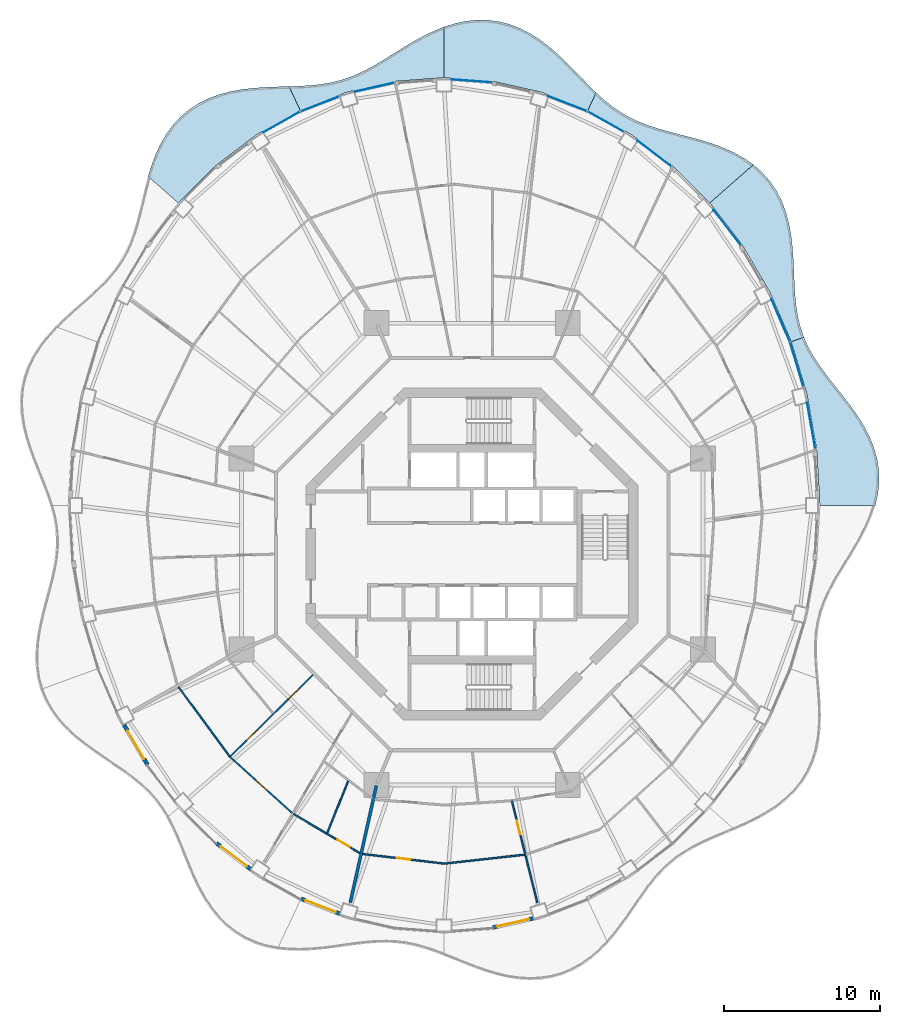
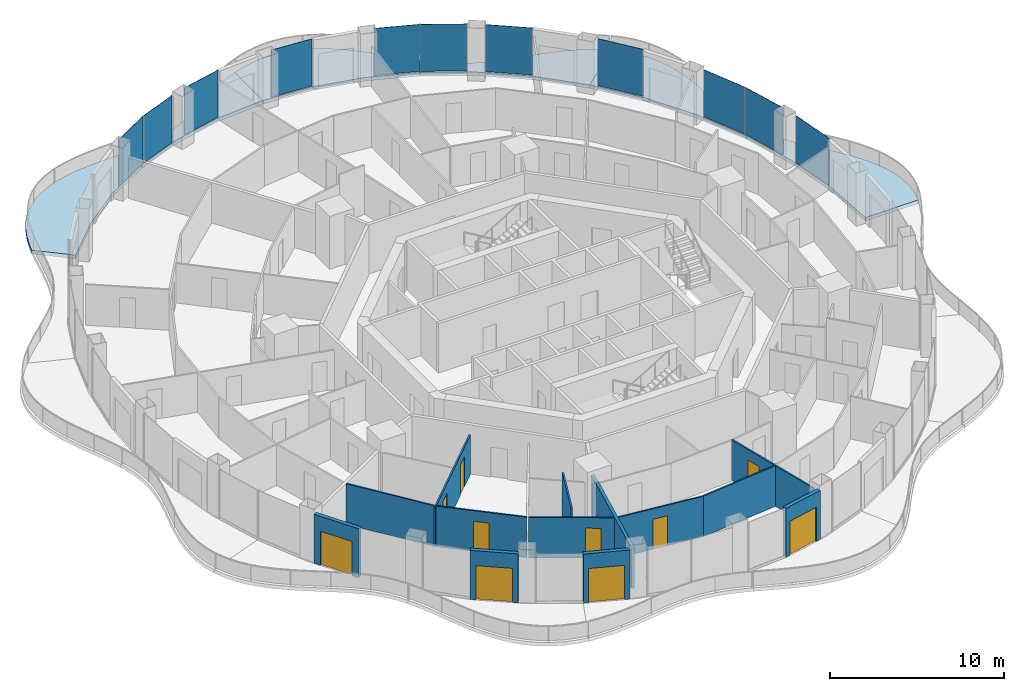
# One storey, part 9 of 18: 13 walls, 11 plates, 10 doors, 6 slabs, 10 openings, 11 elements without a shape of their own.
"""IFC4 building model written with IfcOpenShell, lengths in metres."""

from ifc_helpers import new_model, si_unit, direction, frame, frame_2d, origin, origin_2d, place, context, subcontext, project, spatial, polyline, rectangle, outline, extrude, material, layer, layer_set, type_object, element, fill, aggregate, save


model = new_model("IFC4")

# Units and contexts
model_context = context("Model", 3, precision=1e-05, world=origin(), true_north=direction((0.0, 1.0)))
body_context = subcontext(model_context, "Body", "Model", "MODEL_VIEW")
ifc_project = project(units=[si_unit("LENGTHUNIT", "METRE"), si_unit("AREAUNIT", "SQUARE_METRE"), si_unit("VOLUMEUNIT", "CUBIC_METRE"), si_unit("PLANEANGLEUNIT", "RADIAN"), si_unit("MASSUNIT", "GRAM", prefix="KILO")], contexts=[model_context])

# Site, building, storey
site_placement = place(None, origin())
site = spatial("IfcSite", under=ifc_project, at=site_placement, CompositionType="ELEMENT")
building_placement = place(site_placement, origin())
building = spatial("IfcBuilding", under=site, at=building_placement, Name="Nagisa Residences", CompositionType="ELEMENT")
storey_placement = place(building_placement, frame((0.0, 0.0, 238.10009765625)))
storey = spatial("IfcBuildingStorey", under=building, at=storey_placement, Name="L60", CompositionType="ELEMENT", Elevation=238.10009765625)

# Slabs
ifc_material_1 = material(Name="Concrete C40/50", Category="concrete")
ifc_layer_1 = layer(ifc_material_1, 0.25)
ifc_layer_set_1 = layer_set([ifc_layer_1], Name="BALCONY SLAB 250")
slab_type = type_object("IfcSlabType", Name="BALCONY SLAB 250", PredefinedType="FLOOR", material=ifc_layer_set_1)
slab_1_placement = place(storey_placement, frame((0.0, 0.0, -0.25)))
element("IfcSlab", 1, at=slab_1_placement, inside=storey, type_object=slab_type, Name="slab:L60:bal00", PredefinedType="FLOOR", context=body_context, shape_type="SweptSolid", body=[
    extrude(outline(polyline([(25.81787109375, 3.11767578125), (25.986328125, 3.865966796875), (26.06396484375, 4.6181640625), (26.045166015625, 5.369140625), (25.929443359375, 6.113037109375), (25.719970703125, 6.8447265625), (25.42529296875, 7.559814453125), (25.05712890625, 8.25537109375), (24.630615234375, 8.929443359375), (24.163818359375, 9.582275390625), (23.675048828125, 10.215576171875), (23.18359375, 10.833251953125), (22.707763671875, 11.43994140625), (22.263916015625, 12.042236328125), (21.864990234375, 12.646728515625), (21.521240234375, 13.2607421875), (21.23828125, 13.890869140625), (20.437744140625, 13.599365234375), (21.449951171875, 10.206787109375), (22.06396484375, 6.69287109375), (22.27001953125, 3.11767578125), (25.81787109375, 3.11767578125)])), origin(), (0.0, 0.0, 1.0), 0.25),
])
slab_2_placement = place(storey_placement, frame((0.0, 0.0, -0.25)))
element("IfcSlab", 2, at=slab_2_placement, inside=storey, type_object=slab_type, Name="slab:L60:bal01", PredefinedType="FLOOR", context=body_context, shape_type="SweptSolid", body=[
    extrude(outline(polyline([(21.23828125, 13.890869140625), (21.023193359375, 14.522216796875), (20.86376953125, 15.17822265625), (20.75341796875, 15.86083984375), (20.68212890625, 16.57080078125), (20.6376953125, 17.305908203125), (20.605712890625, 18.0625), (20.570068359375, 18.83447265625), (20.51513671875, 19.614013671875), (20.425537109375, 20.3916015625), (20.28759765625, 21.15673828125), (20.089599609375, 21.899169921875), (19.822998046875, 22.60791015625), (19.48193359375, 23.273193359375), (19.064453125, 23.886962890625), (18.572021484375, 24.442626953125), (18.009765625, 24.936767578125), (15.219970703125, 22.4853515625), (17.2958984375, 19.791748046875), (19.045166015625, 16.812744140625), (20.437744140625, 13.599365234375), (21.23828125, 13.890869140625)])), origin(), (0.0, 0.0, 1.0), 0.25),
])
slab_3_placement = place(storey_placement, frame((0.0, 0.0, -0.25)))
element("IfcSlab", 3, at=slab_3_placement, inside=storey, type_object=slab_type, Name="slab:L60:bal02", PredefinedType="FLOOR", context=body_context, shape_type="SweptSolid", body=[
    extrude(outline(polyline([(18.009765625, 24.936767578125), (17.415771484375, 25.349609375), (16.7744140625, 25.70703125), (16.09619140625, 26.01318359375), (15.39208984375, 26.274658203125), (14.674072265625, 26.499755859375), (13.95361328125, 26.698974609375), (13.24072265625, 26.88330078125), (12.54443359375, 27.06494140625), (11.871826171875, 27.255615234375), (11.227783203125, 27.46630859375), (10.61474609375, 27.707275390625), (10.03271484375, 27.98583984375), (9.4794921875, 28.30810546875), (8.950439453125, 28.67626953125), (8.43994140625, 29.090087890625), (7.940673828125, 29.546142578125), (7.4111328125, 28.4228515625), (10.235107421875, 26.838134765625), (12.852783203125, 24.84765625), (15.219970703125, 22.4853515625), (18.009765625, 24.936767578125)])), origin(), (0.0, 0.0, 1.0), 0.25),
])
slab_4_placement = place(storey_placement, frame((0.0, 0.0, -0.25)))
element("IfcSlab", 4, at=slab_4_placement, inside=storey, type_object=slab_type, Name="slab:L60:bal03", PredefinedType="FLOOR", context=body_context, shape_type="SweptSolid", body=[
    extrude(outline(polyline([(7.940673828125, 29.546142578125), (7.462646484375, 30.019287109375), (6.980712890625, 30.51708984375), (6.487548828125, 31.02880859375), (5.9775390625, 31.54248046875), (5.4453125, 32.044921875), (4.887451171875, 32.522216796875), (4.3017578125, 32.961181640625), (3.6884765625, 33.3486328125), (3.048828125, 33.673828125), (2.385498046875, 33.927001953125), (1.702880859375, 34.101318359375), (1.00634765625, 34.193115234375), (0.3017578125, 34.201416015625), (-0.40478515625, 34.128173828125), (-1.107177734375, 33.978515625), (-1.800048828125, 33.760498046875), (-1.800048828125, 30.5078125), (1.341796875, 30.2734375), (4.4296875, 29.574462890625), (7.4111328125, 28.4228515625), (7.940673828125, 29.546142578125)])), origin(), (0.0, 0.0, 1.0), 0.25),
])
slab_5_placement = place(storey_placement, frame((0.0, 0.0, -0.25)))
element("IfcSlab", 5, at=slab_5_placement, inside=storey, type_object=slab_type, Name="slab:L60:bal04", PredefinedType="FLOOR", context=body_context, shape_type="SweptSolid", body=[
    extrude(outline(polyline([(-1.800048828125, 33.760498046875), (-2.47900390625, 33.484130859375), (-3.140869140625, 33.161865234375), (-3.783935546875, 32.806884765625), (-4.40771484375, 32.43359375), (-5.013916015625, 32.055908203125), (-5.60498046875, 31.68701171875), (-6.18505859375, 31.33935546875), (-6.759033203125, 31.022705078125), (-7.33251953125, 30.74462890625), (-7.911376953125, 30.510498046875), (-8.50048828125, 30.322265625), (-9.105224609375, 30.178955078125), (-9.728759765625, 30.076904296875), (-10.3740234375, 30.01025390625), (-11.041015625, 29.9697265625), (-11.72900390625, 29.945556640625), (-11.01123046875, 28.4228515625), (-8.02978515625, 29.574462890625), (-4.941650390625, 30.2734375), (-1.800048828125, 30.5078125), (-1.800048828125, 33.760498046875)])), origin(), (0.0, 0.0, 1.0), 0.25),
])
slab_6_placement = place(storey_placement, frame((0.0, 0.0, -0.25)))
element("IfcSlab", 6, at=slab_6_placement, inside=storey, type_object=slab_type, Name="slab:L60:bal05", PredefinedType="FLOOR", context=body_context, shape_type="SweptSolid", body=[
    extrude(outline(polyline([(-11.72900390625, 29.945556640625), (-12.461669921875, 29.925048828125), (-13.208740234375, 29.89599609375), (-13.962646484375, 29.844482421875), (-14.715087890625, 29.7578125), (-15.45654296875, 29.624267578125), (-16.1767578125, 29.434326171875), (-16.866455078125, 29.180908203125), (-17.515625, 28.859375), (-18.116943359375, 28.468017578125), (-18.663818359375, 28.008544921875), (-19.15234375, 27.484375), (-19.58056640625, 26.90234375), (-19.9501953125, 26.27099609375), (-20.26416015625, 25.60009765625), (-20.529296875, 24.90087890625), (-20.75390625, 24.184814453125), (-18.820068359375, 22.4853515625), (-16.452880859375, 24.84765625), (-13.8349609375, 26.838134765625), (-11.01123046875, 28.4228515625), (-11.72900390625, 29.945556640625)])), origin(), (0.0, 0.0, 1.0), 0.25),
])

# Curtain wall, plate
ifc_material_2 = material(Name="Concrete-coloured aluminium curtain wall system", Category="concrete")
ifc_layer_2 = layer(ifc_material_2, 0.159912109375)
ifc_layer_set_2 = layer_set([ifc_layer_2], Name="CW1 CURTAIN WALL")
curtain_wall_type = type_object("IfcCurtainWallType", Name="CW1 CURTAIN WALL", PredefinedType="NOTDEFINED", material=ifc_layer_set_2)
curtain_wall_1_placement = place(storey_placement, origin())
curtain_wall_1 = element("IfcCurtainWall", 7, at=curtain_wall_1_placement, inside=storey, type_object=curtain_wall_type, Name="cw:CW1:L60:01", PredefinedType="NOTDEFINED")
ifc_material_3 = material(Name="Clear laminated glass", Category="glass")
ifc_layer_3 = layer(ifc_material_3, 0.028076171875)
ifc_layer_set_3 = layer_set([ifc_layer_3], Name="CW1 GLASS PANEL")
plate_type = type_object("IfcPlateType", Name="CW1 GLASS PANEL", PredefinedType="CURTAIN_PANEL", material=ifc_layer_set_3)
plate_1_placement = place(storey_placement, frame((21.716064453125, 8.21923828125, 0.14990234375), z_axis=(0.0, 0.0, 1.0), x_axis=(-0.172190868898, 0.985063604377, 0.0)))
plate_1 = element("IfcPlate", 8, at=plate_1_placement, type_object=plate_type, Name="CW1 panel", PredefinedType="CURTAIN_PANEL", context=body_context, shape_type="SweptSolid", body=[
    extrude(rectangle(XDim=3.00732421875, YDim=0.028076171875, at=origin_2d()), origin(), (0.0, 0.0, 1.0), 3.2900390625),
])
aggregate(curtain_wall_1, [plate_1])

curtain_wall_2_placement = place(storey_placement, origin())
curtain_wall_2 = element("IfcCurtainWall", 9, at=curtain_wall_2_placement, inside=storey, type_object=curtain_wall_type, Name="cw:CW1:L60:02", PredefinedType="NOTDEFINED")
plate_2_placement = place(storey_placement, frame((20.787109375, 12.1484375, 0.14990234375), z_axis=(0.0, 0.0, 1.0), x_axis=(-0.285860274038, 0.958271310082, 0.0)))
plate_2 = element("IfcPlate", 10, at=plate_2_placement, type_object=plate_type, Name="CW1 panel", PredefinedType="CURTAIN_PANEL", context=body_context, shape_type="SweptSolid", body=[
    extrude(rectangle(XDim=2.98046875, YDim=0.028076171875, at=origin_2d()), origin(), (0.0, 0.0, 1.0), 3.2900390625),
])
aggregate(curtain_wall_2, [plate_2])

curtain_wall_3_placement = place(storey_placement, origin())
curtain_wall_3 = element("IfcCurtainWall", 11, at=curtain_wall_3_placement, inside=storey, type_object=curtain_wall_type, Name="cw:CW1:L60:03", PredefinedType="NOTDEFINED")
plate_3_placement = place(storey_placement, frame((19.755615234375, 14.972412109375, 0.14990234375), z_axis=(0.0, 0.0, 1.0), x_axis=(-0.397635934147, 0.917543276295, 0.0)))
plate_3 = element("IfcPlate", 12, at=plate_3_placement, type_object=plate_type, Name="CW1 panel", PredefinedType="CURTAIN_PANEL", context=body_context, shape_type="SweptSolid", body=[
    extrude(rectangle(XDim=2.942138671875, YDim=0.028076171875, at=origin_2d()), origin(), (0.0, 0.0, 1.0), 3.2900390625),
])
aggregate(curtain_wall_3, [plate_3])

curtain_wall_4_placement = place(storey_placement, origin())
curtain_wall_4 = element("IfcCurtainWall", 13, at=curtain_wall_4_placement, inside=storey, type_object=curtain_wall_type, Name="cw:CW1:L60:05", PredefinedType="NOTDEFINED")
plate_4_placement = place(storey_placement, frame((16.328857421875, 20.91552734375, 0.14990234375), z_axis=(0.0, 0.0, 1.0), x_axis=(-0.610429828235, 0.792070340816, 0.0)))
plate_4 = element("IfcPlate", 14, at=plate_4_placement, type_object=plate_type, Name="CW1 panel", PredefinedType="CURTAIN_PANEL", context=body_context, shape_type="SweptSolid", body=[
    extrude(rectangle(XDim=2.8408203125, YDim=0.028076171875, at=origin_2d()), origin(), (0.0, 0.0, 1.0), 3.2900390625),
])
aggregate(curtain_wall_4, [plate_4])

curtain_wall_5_placement = place(storey_placement, origin())
curtain_wall_5 = element("IfcCurtainWall", 15, at=curtain_wall_5_placement, inside=storey, type_object=curtain_wall_type, Name="cw:CW1:L60:07", PredefinedType="NOTDEFINED")
plate_5_placement = place(storey_placement, frame((11.670654296875, 25.64599609375, 0.14990234375), z_axis=(0.0, 0.0, 1.0), x_axis=(-0.79603132756, 0.605255421737, 0.0)))
plate_5 = element("IfcPlate", 16, at=plate_5_placement, type_object=plate_type, Name="CW1 panel", PredefinedType="CURTAIN_PANEL", context=body_context, shape_type="SweptSolid", body=[
    extrude(rectangle(XDim=2.728759765625, YDim=0.028076171875, at=origin_2d()), origin(), (0.0, 0.0, 1.0), 3.2900390625),
])
aggregate(curtain_wall_5, [plate_5])

curtain_wall_6_placement = place(storey_placement, origin())
curtain_wall_6 = element("IfcCurtainWall", 17, at=curtain_wall_6_placement, inside=storey, type_object=curtain_wall_type, Name="cw:CW1:L60:08", PredefinedType="NOTDEFINED")
plate_6_placement = place(storey_placement, frame((8.539794921875, 27.69775390625, 0.14990234375), z_axis=(0.0, 0.0, 1.0), x_axis=(-0.872072377523, 0.489376918501, 0.0)))
plate_6 = element("IfcPlate", 18, at=plate_6_placement, type_object=plate_type, Name="CW1 panel", PredefinedType="CURTAIN_PANEL", context=body_context, shape_type="SweptSolid", body=[
    extrude(rectangle(XDim=2.677978515625, YDim=0.028076171875, at=origin_2d()), origin(), (0.0, 0.0, 1.0), 3.2900390625),
])
aggregate(curtain_wall_6, [plate_6])

curtain_wall_7_placement = place(storey_placement, origin())
curtain_wall_7 = element("IfcCurtainWall", 19, at=curtain_wall_7_placement, inside=storey, type_object=curtain_wall_type, Name="cw:CW1:L60:09", PredefinedType="NOTDEFINED")
plate_7_placement = place(storey_placement, frame((6.096923828125, 28.8447265625, 0.14990234375), z_axis=(0.0, 0.0, 1.0), x_axis=(-0.932825759707, 0.360327770268, 0.0)))
plate_7 = element("IfcPlate", 20, at=plate_7_placement, type_object=plate_type, Name="CW1 panel", PredefinedType="CURTAIN_PANEL", context=body_context, shape_type="SweptSolid", body=[
    extrude(rectangle(XDim=2.63623046875, YDim=0.028076171875, at=origin_2d()), origin(), (0.0, 0.0, 1.0), 3.2900390625),
])
aggregate(curtain_wall_7, [plate_7])

curtain_wall_8_placement = place(storey_placement, origin())
curtain_wall_8 = element("IfcCurtainWall", 21, at=curtain_wall_8_placement, inside=storey, type_object=curtain_wall_type, Name="cw:CW1:L60:11", PredefinedType="NOTDEFINED")
plate_8_placement = place(storey_placement, frame((-0.015625, 30.29443359375, 0.14990234375), z_axis=(0.0, 0.0, 1.0), x_axis=(-0.997230168512, 0.074377355493, 0.0)))
plate_8 = element("IfcPlate", 22, at=plate_8_placement, type_object=plate_type, Name="CW1 panel", PredefinedType="CURTAIN_PANEL", context=body_context, shape_type="SweptSolid", body=[
    extrude(rectangle(XDim=2.590576171875, YDim=0.028076171875, at=origin_2d()), origin(), (0.0, 0.0, 1.0), 3.2900390625),
])
aggregate(curtain_wall_8, [plate_8])

curtain_wall_9_placement = place(storey_placement, origin())
curtain_wall_9 = element("IfcCurtainWall", 23, at=curtain_wall_9_placement, inside=storey, type_object=curtain_wall_type, Name="cw:CW1:L60:13", PredefinedType="NOTDEFINED")
plate_9_placement = place(storey_placement, frame((-6.25341796875, 29.89453125, 0.14990234375), z_axis=(0.0, 0.0, 1.0), x_axis=(-0.975327274089, -0.2207639201, 0.0)))
plate_9 = element("IfcPlate", 24, at=plate_9_placement, type_object=plate_type, Name="CW1 panel", PredefinedType="CURTAIN_PANEL", context=body_context, shape_type="SweptSolid", body=[
    extrude(rectangle(XDim=2.606201171875, YDim=0.028076171875, at=origin_2d()), origin(), (0.0, 0.0, 1.0), 3.2900390625),
])
aggregate(curtain_wall_9, [plate_9])

curtain_wall_10_placement = place(storey_placement, origin())
curtain_wall_10 = element("IfcCurtainWall", 25, at=curtain_wall_10_placement, inside=storey, type_object=curtain_wall_type, Name="cw:CW1:L60:14", PredefinedType="NOTDEFINED")
plate_10_placement = place(storey_placement, frame((-9.7529296875, 28.822998046875, 0.14990234375), z_axis=(0.0, 0.0, 1.0), x_axis=(-0.932825759707, -0.360327770268, 0.0)))
plate_10 = element("IfcPlate", 26, at=plate_10_placement, type_object=plate_type, Name="CW1 panel", PredefinedType="CURTAIN_PANEL", context=body_context, shape_type="SweptSolid", body=[
    extrude(rectangle(XDim=2.63623046875, YDim=0.028076171875, at=origin_2d()), origin(), (0.0, 0.0, 1.0), 3.2900390625),
])
aggregate(curtain_wall_10, [plate_10])

curtain_wall_11_placement = place(storey_placement, origin())
curtain_wall_11 = element("IfcCurtainWall", 27, at=curtain_wall_11_placement, inside=storey, type_object=curtain_wall_type, Name="cw:CW1:L60:15", PredefinedType="NOTDEFINED")
plate_11_placement = place(storey_placement, frame((-12.192138671875, 27.66845703125, 0.14990234375), z_axis=(0.0, 0.0, 1.0), x_axis=(-0.872072377523, -0.489376918501, 0.0)))
plate_11 = element("IfcPlate", 28, at=plate_11_placement, type_object=plate_type, Name="CW1 panel", PredefinedType="CURTAIN_PANEL", context=body_context, shape_type="SweptSolid", body=[
    extrude(rectangle(XDim=2.677978515625, YDim=0.028076171875, at=origin_2d()), origin(), (0.0, 0.0, 1.0), 3.2900390625),
])
aggregate(curtain_wall_11, [plate_11])

# Walls
ifc_material_4 = material(Name="Gypsum board on steel studs", Category="steel")
ifc_layer_4 = layer(ifc_material_4, 0.199951171875)
ifc_layer_set_4 = layer_set([ifc_layer_4], Name="Apartment compartment wall EI60 200")
wall_type_1 = type_object("IfcWallType", Name="Apartment compartment wall EI60 200", PredefinedType="PARTITIONING", material=ifc_layer_set_4)
wall_1_placement = place(storey_placement, frame((-6.1337890625, -14.830810546875, 0.0), z_axis=(0.0, 0.0, 1.0), x_axis=(-0.217500172543, -0.976060282433, 0.0)))
element("IfcWall", 29, at=wall_1_placement, inside=storey, type_object=wall_type_1, Name="wall:L60:u05", PredefinedType="PARTITIONING", context=body_context, shape_type="SweptSolid", body=[
    extrude(rectangle(XDim=7.667724609375, YDim=0.199951171875, at=frame_2d((3.833984375, 0.0))), origin(), (0.0, 0.0, 1.0), 2.8369140625),
])
ifc_material_5 = material(Name="Gypsum board on steel studs", Category="steel")
ifc_layer_5 = layer(ifc_material_5, 0.10009765625)
ifc_layer_set_5 = layer_set([ifc_layer_5], Name="Apartment partition 100")
wall_type_2 = type_object("IfcWallType", Name="Apartment partition 100", PredefinedType="PARTITIONING", material=ifc_layer_set_5)
wall_2_placement = place(storey_placement, frame((-18.804443359375, -8.515625, 0.0), z_axis=(0.0, 0.0, 1.0), x_axis=(0.593233851441, -0.80503018422, 0.0)))
element("IfcWall", 30, at=wall_2_placement, inside=storey, type_object=wall_type_2, Name="wall:L60:u66", PredefinedType="PARTITIONING", context=body_context, shape_type="SweptSolid", body=[
    extrude(rectangle(XDim=5.501953125, YDim=0.10009765625, at=frame_2d((2.7509765625, 0.0))), origin(), (0.0, 0.0, 1.0), 2.8369140625),
])

# Wall, openings, doors
wall_3_placement = place(storey_placement, frame((-10.1826171875, -7.728271484375, 0.0), z_axis=(0.0, 0.0, 1.0), x_axis=(-0.711869910979, -0.702311348223, 0.0)))
wall_3 = element("IfcWall", 31, at=wall_3_placement, inside=storey, type_object=wall_type_2, Name="wall:L60:u67", PredefinedType="PARTITIONING", context=body_context, shape_type="SweptSolid", body=[
    extrude(rectangle(XDim=7.53466796875, YDim=0.10009765625, at=frame_2d((3.767333984375, 0.0))), origin(), (0.0, 0.0, 1.0), 2.761962890625),
])
opening_1_placement = place(wall_3_placement, frame((1.335205078125, 0.0, 0.0)))
opening_1 = element("IfcOpeningElement", 32, at=opening_1_placement, cuts=wall_3, Name="Opening L60-U02", PredefinedType="OPENING", context=body_context, shape_type="SweptSolid", body=[
    extrude(rectangle(XDim=0.89990234375, YDim=2.10009765625, at=frame_2d((0.449951171875, 1.050048828125))), frame((0.0, 0.06005859375, 0.0), z_axis=(0.0, -1.0, 0.0), x_axis=(1.0, 0.0, 0.0)), (0.0, 0.0, 1.0), 0.1201171875),
])
opening_2_placement = place(wall_3_placement, frame((5.077392578125, 0.0, 0.0)))
opening_2 = element("IfcOpeningElement", 33, at=opening_2_placement, cuts=wall_3, Name="Opening L60-U04", PredefinedType="OPENING", context=body_context, shape_type="SweptSolid", body=[
    extrude(rectangle(XDim=0.89990234375, YDim=2.10009765625, at=frame_2d((0.449951171875, 1.050048828125))), frame((0.0, 0.06005859375, 0.0), z_axis=(0.0, -1.0, 0.0), x_axis=(1.0, 0.0, 0.0)), (0.0, 0.0, 1.0), 0.1201171875),
])
ifc_material_6 = material(Name="Timber door set", Category="wood")
door_type_1 = type_object("IfcDoorType", Name="Apartment door 900x2100", OperationType="NOTDEFINED", PredefinedType="DOOR", material=ifc_material_6)
door_1_placement = place(opening_1_placement, frame((0.89990234375, 0.0, 0.0), x_axis=(-1.0, 0.0, 0.0)))
door_1 = element("IfcDoor", 34, at=door_1_placement, inside=storey, type_object=door_type_1, Name="Door to laundry, Apartment 60A", OperationType="SINGLE_SWING_LEFT", OverallHeight=2.10009765625, OverallWidth=0.89990234375, PredefinedType="DOOR", context=body_context, shape_type="SweptSolid", body=[
    extrude(rectangle(XDim=0.89990234375, YDim=2.10009765625, at=frame_2d((0.449951171875, 1.050048828125))), frame((0.0, 0.02490234375, 0.0), z_axis=(0.0, -1.0, 0.0), x_axis=(1.0, 0.0, 0.0)), (0.0, 0.0, 1.0), 0.050048828125),
])
fill(opening_1, door_1)
door_2_placement = place(opening_2_placement, frame((0.89990234375, 0.0, 0.0), x_axis=(-1.0, 0.0, 0.0)))
door_2 = element("IfcDoor", 35, at=door_2_placement, inside=storey, type_object=door_type_1, Name="Door to kitchen, Apartment 60A", OperationType="SINGLE_SWING_LEFT", OverallHeight=2.10009765625, OverallWidth=0.89990234375, PredefinedType="DOOR", context=body_context, shape_type="SweptSolid", body=[
    extrude(rectangle(XDim=0.89990234375, YDim=2.10009765625, at=frame_2d((0.449951171875, 1.050048828125))), frame((0.0, 0.02490234375, 0.0), z_axis=(0.0, -1.0, 0.0), x_axis=(1.0, 0.0, 0.0)), (0.0, 0.0, 1.0), 0.050048828125),
])
fill(opening_2, door_2)

# Wall, opening, door
wall_4_placement = place(storey_placement, frame((-15.4736328125, -13.0185546875, 0.0), z_axis=(0.0, 0.0, 1.0), x_axis=(0.742348572616, -0.670013878017, 0.0)))
wall_4 = element("IfcWall", 36, at=wall_4_placement, inside=storey, type_object=wall_type_2, Name="wall:L60:u68", PredefinedType="PARTITIONING", context=body_context, shape_type="SweptSolid", body=[
    extrude(rectangle(XDim=5.3193359375, YDim=0.10009765625, at=frame_2d((2.65966796875, 0.0))), origin(), (0.0, 0.0, 1.0), 2.8369140625),
])
opening_3_placement = place(wall_4_placement, frame((2.209716796875, 0.0, 0.0)))
opening_3 = element("IfcOpeningElement", 37, at=opening_3_placement, cuts=wall_4, Name="Opening L60-U06", PredefinedType="OPENING", context=body_context, shape_type="SweptSolid", body=[
    extrude(rectangle(XDim=0.89990234375, YDim=2.10009765625, at=frame_2d((0.449951171875, 1.050048828125))), frame((0.0, 0.06005859375, 0.0), z_axis=(0.0, -1.0, 0.0), x_axis=(1.0, 0.0, 0.0)), (0.0, 0.0, 1.0), 0.1201171875),
])
door_3_placement = place(opening_3_placement, frame((0.89990234375, 0.0, 0.0), x_axis=(-1.0, 0.0, 0.0)))
door_3 = element("IfcDoor", 38, at=door_3_placement, inside=storey, type_object=door_type_1, Name="Door to living room, Apartment 60A", OperationType="SINGLE_SWING_LEFT", OverallHeight=2.10009765625, OverallWidth=0.89990234375, PredefinedType="DOOR", context=body_context, shape_type="SweptSolid", body=[
    extrude(rectangle(XDim=0.89990234375, YDim=2.10009765625, at=frame_2d((0.449951171875, 1.050048828125))), frame((0.0, 0.02490234375, 0.0), z_axis=(0.0, -1.0, 0.0), x_axis=(1.0, 0.0, 0.0)), (0.0, 0.0, 1.0), 0.050048828125),
])
fill(opening_3, door_3)

wall_5_placement = place(storey_placement, frame((-11.444580078125, -16.641357421875, 0.0), z_axis=(0.0, 0.0, 1.0), x_axis=(0.861568986754, -0.507640503766, 0.0)))
wall_5 = element("IfcWall", 39, at=wall_5_placement, inside=storey, type_object=wall_type_2, Name="wall:L60:u71", PredefinedType="PARTITIONING", context=body_context, shape_type="SweptSolid", body=[
    extrude(rectangle(XDim=4.934814453125, YDim=0.10009765625, at=frame_2d((2.46728515625, 0.0))), origin(), (0.0, 0.0, 1.0), 2.8369140625),
])
opening_4_placement = place(wall_5_placement, frame((3.263671875, 0.0, 0.0)))
opening_4 = element("IfcOpeningElement", 40, at=opening_4_placement, cuts=wall_5, Name="Opening L60-U08", PredefinedType="OPENING", context=body_context, shape_type="SweptSolid", body=[
    extrude(rectangle(XDim=0.89990234375, YDim=2.10009765625, at=frame_2d((0.449951171875, 1.050048828125))), frame((0.0, 0.06005859375, 0.0), z_axis=(0.0, -1.0, 0.0), x_axis=(1.0, 0.0, 0.0)), (0.0, 0.0, 1.0), 0.1201171875),
])
door_4_placement = place(opening_4_placement, origin())
door_4 = element("IfcDoor", 41, at=door_4_placement, inside=storey, type_object=door_type_1, Name="Door to en-suite bathroom, Apartment 60A", OperationType="SINGLE_SWING_RIGHT", OverallHeight=2.10009765625, OverallWidth=0.89990234375, PredefinedType="DOOR", context=body_context, shape_type="SweptSolid", body=[
    extrude(rectangle(XDim=0.89990234375, YDim=2.10009765625, at=frame_2d((0.449951171875, 1.050048828125))), frame((0.0, 0.02490234375, 0.0), z_axis=(0.0, -1.0, 0.0), x_axis=(1.0, 0.0, 0.0)), (0.0, 0.0, 1.0), 0.050048828125),
])
fill(opening_4, door_4)

# Wall
wall_6_placement = place(storey_placement, frame((-7.93896484375, -14.530517578125, 0.0), z_axis=(0.0, 0.0, 1.0), x_axis=(-0.373254758443, -0.927728885666, 0.0)))
element("IfcWall", 42, at=wall_6_placement, inside=storey, type_object=wall_type_2, Name="wall:L60:u72", PredefinedType="PARTITIONING", context=body_context, shape_type="SweptSolid", body=[
    extrude(rectangle(XDim=3.5888671875, YDim=0.10009765625, at=frame_2d((1.79443359375, 0.0))), origin(), (0.0, 0.0, 1.0), 3.43994140625),
])

# Wall, opening, door
wall_7_placement = place(storey_placement, frame((-7.007568359375, -19.208984375, 0.0), z_axis=(0.0, 0.0, 1.0), x_axis=(0.993173459887, -0.116646811258, 0.0)))
wall_7 = element("IfcWall", 43, at=wall_7_placement, inside=storey, type_object=wall_type_2, Name="wall:L60:u74", PredefinedType="PARTITIONING", context=body_context, shape_type="SweptSolid", body=[
    extrude(rectangle(XDim=5.318359375, YDim=0.10009765625, at=frame_2d((2.6591796875, 0.0))), origin(), (0.0, 0.0, 1.0), 2.8369140625),
])
opening_5_placement = place(wall_7_placement, frame((2.18408203125, 0.0, 0.0)))
opening_5 = element("IfcOpeningElement", 44, at=opening_5_placement, cuts=wall_7, Name="Opening L60-U18", PredefinedType="OPENING", context=body_context, shape_type="SweptSolid", body=[
    extrude(rectangle(XDim=0.89990234375, YDim=2.10009765625, at=frame_2d((0.449951171875, 1.050048828125))), frame((0.0, 0.06005859375, 0.0), z_axis=(0.0, -1.0, 0.0), x_axis=(1.0, 0.0, 0.0)), (0.0, 0.0, 1.0), 0.1201171875),
])
door_5_placement = place(opening_5_placement, frame((0.89990234375, 0.0, 0.0), x_axis=(-1.0, 0.0, 0.0)))
door_5 = element("IfcDoor", 45, at=door_5_placement, inside=storey, type_object=door_type_1, Name="Door to living room, Apartment 60B", OperationType="SINGLE_SWING_LEFT", OverallHeight=2.10009765625, OverallWidth=0.89990234375, PredefinedType="DOOR", context=body_context, shape_type="SweptSolid", body=[
    extrude(rectangle(XDim=0.89990234375, YDim=2.10009765625, at=frame_2d((0.449951171875, 1.050048828125))), frame((0.0, 0.02490234375, 0.0), z_axis=(0.0, -1.0, 0.0), x_axis=(1.0, 0.0, 0.0)), (0.0, 0.0, 1.0), 0.050048828125),
])
fill(opening_5, door_5)

# Wall
wall_8_placement = place(storey_placement, frame((-1.7255859375, -19.81787109375, 0.0), z_axis=(0.0, 0.0, 1.0), x_axis=(0.99381893047, 0.111013212902, 0.0)))
element("IfcWall", 46, at=wall_8_placement, inside=storey, type_object=wall_type_2, Name="wall:L60:u76", PredefinedType="PARTITIONING", context=body_context, shape_type="SweptSolid", body=[
    extrude(rectangle(XDim=5.113037109375, YDim=0.10009765625, at=frame_2d((2.556640625, 0.0))), origin(), (0.0, 0.0, 1.0), 2.8369140625),
])

# Wall, opening, door
wall_9_placement = place(storey_placement, frame((2.53125, -15.74853515625, 0.0), z_axis=(0.0, 0.0, 1.0), x_axis=(0.242645858264, -0.970114935184, 0.0)))
wall_9 = element("IfcWall", 47, at=wall_9_placement, inside=storey, type_object=wall_type_2, Name="wall:L60:u78", PredefinedType="PARTITIONING", context=body_context, shape_type="SweptSolid", body=[
    extrude(rectangle(XDim=6.7744140625, YDim=0.10009765625, at=frame_2d((3.38720703125, 0.0))), origin(), (0.0, 0.0, 1.0), 2.8369140625),
])
opening_6_placement = place(wall_9_placement, frame((1.376953125, 0.0, 0.0)))
opening_6 = element("IfcOpeningElement", 48, at=opening_6_placement, cuts=wall_9, Name="Opening L60-U17", PredefinedType="OPENING", context=body_context, shape_type="SweptSolid", body=[
    extrude(rectangle(XDim=0.89990234375, YDim=2.10009765625, at=frame_2d((0.449951171875, 1.050048828125))), frame((0.0, 0.06005859375, 0.0), z_axis=(0.0, -1.0, 0.0), x_axis=(1.0, 0.0, 0.0)), (0.0, 0.0, 1.0), 0.1201171875),
])
door_6_placement = place(opening_6_placement, frame((0.89990234375, 0.0, 0.0), x_axis=(-1.0, 0.0, 0.0)))
door_6 = element("IfcDoor", 49, at=door_6_placement, inside=storey, type_object=door_type_1, Name="Door to kitchen, Apartment 60B", OperationType="SINGLE_SWING_RIGHT", OverallHeight=2.10009765625, OverallWidth=0.89990234375, PredefinedType="DOOR", context=body_context, shape_type="SweptSolid", body=[
    extrude(rectangle(XDim=0.89990234375, YDim=2.10009765625, at=frame_2d((0.449951171875, 1.050048828125))), frame((0.0, 0.02490234375, 0.0), z_axis=(0.0, -1.0, 0.0), x_axis=(1.0, 0.0, 0.0)), (0.0, 0.0, 1.0), 0.050048828125),
])
fill(opening_6, door_6)

ifc_material_7 = material(Name="Precast concrete C40/50", Category="concrete")
ifc_layer_6 = layer(ifc_material_7, 0.25)
ifc_layer_set_6 = layer_set([ifc_layer_6], Name="BALCONY DOOR WALL 250")
wall_type_3 = type_object("IfcWallType", Name="BALCONY DOOR WALL 250", PredefinedType="SOLIDWALL", material=ifc_layer_set_6)
wall_10_placement = place(storey_placement, frame((-20.788330078125, -13.492919921875, 0.0), z_axis=(0.0, 0.0, 1.0), x_axis=(-0.506294090973, 0.862360883532, 0.0)))
wall_10 = element("IfcWall", 50, at=wall_10_placement, inside=storey, type_object=wall_type_3, Name="wall:L60:bay28", PredefinedType="SOLIDWALL", context=body_context, shape_type="SweptSolid", body=[
    extrude(rectangle(XDim=2.95458984375, YDim=0.25, at=frame_2d((1.477294921875, 0.0))), origin(), (0.0, 0.0, 1.0), 3.43994140625),
])
opening_7_placement = place(wall_10_placement, frame((0.42724609375, 0.0, 0.0)))
opening_7 = element("IfcOpeningElement", 51, at=opening_7_placement, cuts=wall_10, Name="Opening BD-L60-10", PredefinedType="OPENING", context=body_context, shape_type="SweptSolid", body=[
    extrude(rectangle(XDim=2.10009765625, YDim=2.39990234375, at=frame_2d((1.050048828125, 1.199951171875))), frame((0.0, 0.135009765625, 0.0), z_axis=(0.0, -1.0, 0.0), x_axis=(1.0, 0.0, 0.0)), (0.0, 0.0, 1.0), 0.27001953125),
])
ifc_material_8 = material(Name="Aluminium and clear glass", Category="aluminium")
door_type_2 = type_object("IfcDoorType", Name="BALCONY SLIDING DOOR 2100x2400", OperationType="SLIDING_TO_LEFT", PredefinedType="DOOR", material=ifc_material_8)
door_7_placement = place(opening_7_placement, origin())
door_7 = element("IfcDoor", 52, at=door_7_placement, inside=storey, type_object=door_type_2, Name="door:L60:bay28", OperationType="SLIDING_TO_LEFT", OverallHeight=2.39990234375, OverallWidth=2.10009765625, PredefinedType="DOOR", context=body_context, shape_type="SweptSolid", body=[
    extrude(rectangle(XDim=2.10009765625, YDim=2.39990234375, at=frame_2d((1.050048828125, 1.199951171875))), frame((0.0, 0.02490234375, 0.0), z_axis=(0.0, -1.0, 0.0), x_axis=(1.0, 0.0, 0.0)), (0.0, 0.0, 1.0), 0.050048828125),
])
fill(opening_7, door_7)

wall_11_placement = place(storey_placement, frame((-14.157470703125, -20.20068359375, 0.0), z_axis=(0.0, 0.0, 1.0), x_axis=(-0.795990084031, 0.60530966135, 0.0)))
wall_11 = element("IfcWall", 53, at=wall_11_placement, inside=storey, type_object=wall_type_3, Name="wall:L60:bay31", PredefinedType="SOLIDWALL", context=body_context, shape_type="SweptSolid", body=[
    extrude(rectangle(XDim=2.78857421875, YDim=0.25, at=frame_2d((1.394287109375, 0.0))), origin(), (0.0, 0.0, 1.0), 3.43994140625),
])
opening_8_placement = place(wall_11_placement, frame((0.34423828125, 0.0, 0.0)))
opening_8 = element("IfcOpeningElement", 54, at=opening_8_placement, cuts=wall_11, Name="Opening BD-L60-11", PredefinedType="OPENING", context=body_context, shape_type="SweptSolid", body=[
    extrude(rectangle(XDim=2.10009765625, YDim=2.39990234375, at=frame_2d((1.050048828125, 1.199951171875))), frame((0.0, 0.135009765625, 0.0), z_axis=(0.0, -1.0, 0.0), x_axis=(1.0, 0.0, 0.0)), (0.0, 0.0, 1.0), 0.27001953125),
])
door_8_placement = place(opening_8_placement, origin())
door_8 = element("IfcDoor", 55, at=door_8_placement, inside=storey, type_object=door_type_2, Name="door:L60:bay31", OperationType="SLIDING_TO_LEFT", OverallHeight=2.39990234375, OverallWidth=2.10009765625, PredefinedType="DOOR", context=body_context, shape_type="SweptSolid", body=[
    extrude(rectangle(XDim=2.10009765625, YDim=2.39990234375, at=frame_2d((1.050048828125, 1.199951171875))), frame((0.0, 0.02490234375, 0.0), z_axis=(0.0, -1.0, 0.0), x_axis=(1.0, 0.0, 0.0)), (0.0, 0.0, 1.0), 0.050048828125),
])
fill(opening_8, door_8)

wall_12_placement = place(storey_placement, frame((-8.451171875, -23.042236328125, 0.0), z_axis=(0.0, 0.0, 1.0), x_axis=(-0.932826499224, 0.360325855782, 0.0)))
wall_12 = element("IfcWall", 56, at=wall_12_placement, inside=storey, type_object=wall_type_3, Name="wall:L60:bay33", PredefinedType="SOLIDWALL", context=body_context, shape_type="SweptSolid", body=[
    extrude(rectangle(XDim=2.696044921875, YDim=0.25, at=frame_2d((1.34814453125, 0.0))), origin(), (0.0, 0.0, 1.0), 3.43994140625),
])
opening_9_placement = place(wall_12_placement, frame((0.298095703125, 0.0, 0.0)))
opening_9 = element("IfcOpeningElement", 57, at=opening_9_placement, cuts=wall_12, Name="Opening BD-L60-12", PredefinedType="OPENING", context=body_context, shape_type="SweptSolid", body=[
    extrude(rectangle(XDim=2.10009765625, YDim=2.39990234375, at=frame_2d((1.050048828125, 1.199951171875))), frame((0.0, 0.135009765625, 0.0), z_axis=(0.0, -1.0, 0.0), x_axis=(1.0, 0.0, 0.0)), (0.0, 0.0, 1.0), 0.27001953125),
])
door_9_placement = place(opening_9_placement, origin())
door_9 = element("IfcDoor", 58, at=door_9_placement, inside=storey, type_object=door_type_2, Name="door:L60:bay33", OperationType="SLIDING_TO_LEFT", OverallHeight=2.39990234375, OverallWidth=2.10009765625, PredefinedType="DOOR", context=body_context, shape_type="SweptSolid", body=[
    extrude(rectangle(XDim=2.10009765625, YDim=2.39990234375, at=frame_2d((1.050048828125, 1.199951171875))), frame((0.0, 0.02490234375, 0.0), z_axis=(0.0, -1.0, 0.0), x_axis=(1.0, 0.0, 0.0)), (0.0, 0.0, 1.0), 0.050048828125),
])
fill(opening_9, door_9)

wall_13_placement = place(storey_placement, frame((3.91455078125, -23.327392578125, 0.0), z_axis=(0.0, 0.0, 1.0), x_axis=(-0.975324089124, -0.220777990694, 0.0)))
wall_13 = element("IfcWall", 59, at=wall_13_placement, inside=storey, type_object=wall_type_3, Name="wall:L60:bay37", PredefinedType="SOLIDWALL", context=body_context, shape_type="SweptSolid", body=[
    extrude(rectangle(XDim=2.666015625, YDim=0.25, at=frame_2d((1.3330078125, 0.0))), origin(), (0.0, 0.0, 1.0), 3.43994140625),
])
opening_10_placement = place(wall_13_placement, frame((0.282958984375, 0.0, 0.0)))
opening_10 = element("IfcOpeningElement", 60, at=opening_10_placement, cuts=wall_13, Name="Opening BD-L60-13", PredefinedType="OPENING", context=body_context, shape_type="SweptSolid", body=[
    extrude(rectangle(XDim=2.10009765625, YDim=2.39990234375, at=frame_2d((1.050048828125, 1.199951171875))), frame((0.0, 0.135009765625, 0.0), z_axis=(0.0, -1.0, 0.0), x_axis=(1.0, 0.0, 0.0)), (0.0, 0.0, 1.0), 0.27001953125),
])
door_10_placement = place(opening_10_placement, origin())
door_10 = element("IfcDoor", 61, at=door_10_placement, inside=storey, type_object=door_type_2, Name="door:L60:bay37", OperationType="SLIDING_TO_LEFT", OverallHeight=2.39990234375, OverallWidth=2.10009765625, PredefinedType="DOOR", context=body_context, shape_type="SweptSolid", body=[
    extrude(rectangle(XDim=2.10009765625, YDim=2.39990234375, at=frame_2d((1.050048828125, 1.199951171875))), frame((0.0, 0.02490234375, 0.0), z_axis=(0.0, -1.0, 0.0), x_axis=(1.0, 0.0, 0.0)), (0.0, 0.0, 1.0), 0.050048828125),
])
fill(opening_10, door_10)

save(model, "model.ifc")
